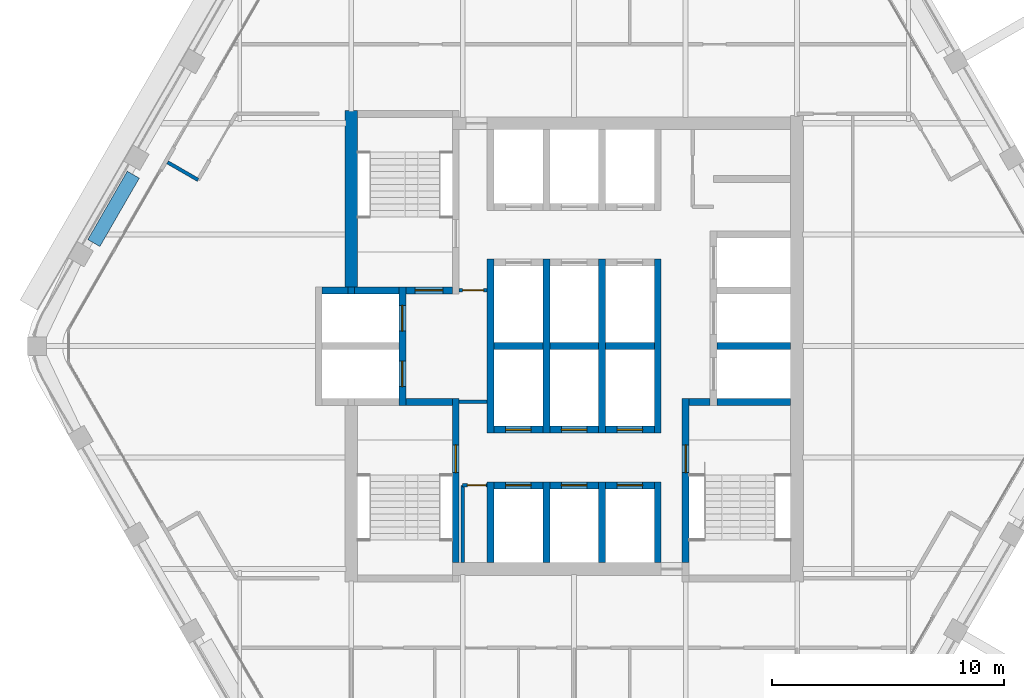
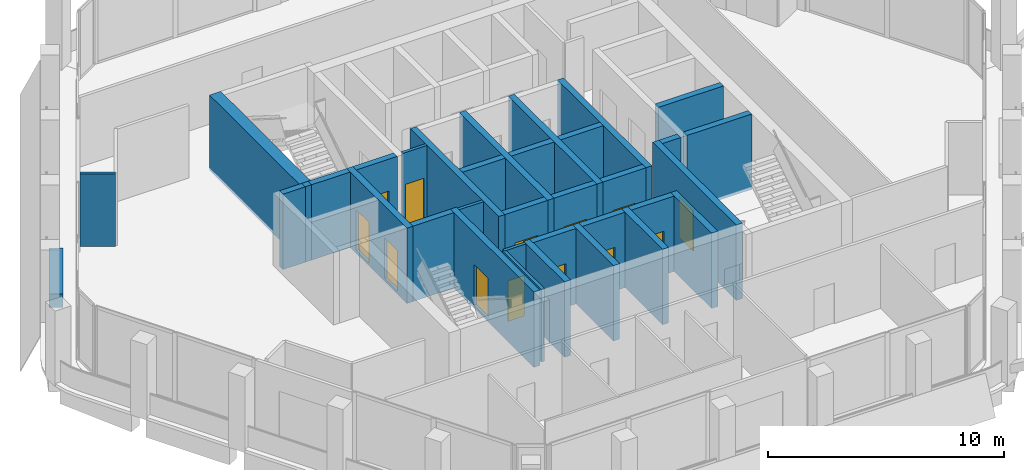
# One storey, part 8 of 14: 35 walls, 13 doors, 13 openings.
"""IFC4 building model written with IfcOpenShell, lengths in metres."""

from ifc_helpers import new_model, si_unit, direction, frame, frame_2d, origin, place, context, subcontext, project, spatial, rectangle, extrude, material, layer, layer_set, type_object, element, fill, save


model = new_model("IFC4")

# Units and contexts
model_context = context("Model", 3, precision=1e-05, world=origin(), true_north=direction((0.0, 1.0)))
body_context = subcontext(model_context, "Body", "Model", "MODEL_VIEW")
ifc_project = project(units=[si_unit("LENGTHUNIT", "METRE"), si_unit("AREAUNIT", "SQUARE_METRE"), si_unit("VOLUMEUNIT", "CUBIC_METRE"), si_unit("PLANEANGLEUNIT", "RADIAN"), si_unit("MASSUNIT", "GRAM", prefix="KILO")], contexts=[model_context])

# Site, building, storey
site_placement = place(None, origin())
site = spatial("IfcSite", under=ifc_project, at=site_placement, CompositionType="ELEMENT")
building_placement = place(site_placement, origin())
building = spatial("IfcBuilding", under=site, at=building_placement, Name="Kolab Exchange Tower", CompositionType="ELEMENT")
storey_placement = place(building_placement, frame((0.0, 0.0, 281.300048828125)))
storey = spatial("IfcBuildingStorey", under=building, at=storey_placement, Name="L63", CompositionType="ELEMENT", Elevation=281.300048828125)

# Wall
ifc_material_1 = material(Name="Concrete C50/60", Category="concrete")
ifc_layer_1 = layer(ifc_material_1, 0.550048828125)
ifc_layer_set_1 = layer_set([ifc_layer_1], Name="Concrete C50/60")
wall_type_1 = type_object("IfcWallType", Name="CORE WALL 550 C50/60", PredefinedType="SHEAR", material=ifc_layer_set_1)
wall_1_placement = place(storey_placement, frame((-9.60009765625, 2.550048828125, -0.150146484375), z_axis=(0.0, 0.0, 1.0), x_axis=(0.0, 1.0, 0.0)))
element("IfcWall", 1, at=wall_1_placement, inside=storey, type_object=wall_type_1, Name="wall/L63/core/037", PredefinedType="SHEAR", context=body_context, shape_type="SweptSolid", body=[
    extrude(rectangle(XDim=7.599853515625, YDim=0.550048828125, at=frame_2d((3.7998046875, 0.0))), origin(), (0.0, 0.0, 1.0), 3.900146484375),
])

# Wall, opening, door
ifc_layer_2 = layer(ifc_material_1, 0.300048828125)
ifc_layer_set_2 = layer_set([ifc_layer_2], Name="Concrete C50/60")
wall_type_2 = type_object("IfcWallType", Name="LIFT SHAFT WALL 300 C50/60", PredefinedType="STANDARD", material=ifc_layer_set_2)
wall_2_placement = place(storey_placement, frame((-3.449951171875, -6.0, -0.150146484375), z_axis=(0.0, 0.0, 1.0), x_axis=(1.0, 0.0, 0.0)))
wall_2 = element("IfcWall", 2, at=wall_2_placement, inside=storey, type_object=wall_type_2, Name="wall/L63/core/003", PredefinedType="STANDARD", context=body_context, shape_type="SweptSolid", body=[
    extrude(rectangle(XDim=2.099853515625, YDim=0.300048828125, at=frame_2d((1.0498046875, 0.0))), origin(), (0.0, 0.0, 1.0), 3.900146484375),
])
opening_1_placement = place(wall_2_placement, frame((0.5, 0.0, 0.14990234375)))
opening_1 = element("IfcOpeningElement", 3, at=opening_1_placement, cuts=wall_2, Name="Opening LD1-110", PredefinedType="OPENING", context=body_context, shape_type="SweptSolid", body=[
    extrude(rectangle(XDim=1.10009765625, YDim=2.10009765625, at=frame_2d((0.550048828125, 1.050048828125))), frame((0.0, 0.16015625, 0.0), z_axis=(0.0, -1.0, 0.0), x_axis=(1.0, 0.0, 0.0)), (0.0, 0.0, 1.0), 0.320068359375),
])
ifc_material_2 = material(Name="Stainless steel 316", Category="steel")
door_type_1 = type_object("IfcDoorType", Name="LANDING DOOR 1100 PASSENGER", OperationType="DOUBLE_DOOR_SLIDING", PredefinedType="DOOR", material=ifc_material_2)
door_1_placement = place(opening_1_placement, origin())
door_1 = element("IfcDoor", 4, at=door_1_placement, inside=storey, type_object=door_type_1, Name="Landing door HR10", OperationType="DOUBLE_DOOR_SLIDING", OverallHeight=2.10009765625, OverallWidth=1.10009765625, PredefinedType="DOOR", context=body_context, shape_type="SweptSolid", body=[
    extrude(rectangle(XDim=1.10009765625, YDim=2.10009765625, at=frame_2d((0.550048828125, 1.050048828125))), frame((0.0, 0.02490234375, 0.0), z_axis=(0.0, -1.0, 0.0), x_axis=(1.0, 0.0, 0.0)), (0.0, 0.0, 1.0), 0.050048828125),
])
fill(opening_1, door_1)

wall_3_placement = place(storey_placement, frame((-1.050048828125, -6.0, -0.150146484375), z_axis=(0.0, 0.0, 1.0), x_axis=(1.0, 0.0, 0.0)))
wall_3 = element("IfcWall", 5, at=wall_3_placement, inside=storey, type_object=wall_type_2, Name="wall/L63/core/004", PredefinedType="STANDARD", context=body_context, shape_type="SweptSolid", body=[
    extrude(rectangle(XDim=2.10009765625, YDim=0.300048828125, at=frame_2d((1.050048828125, 0.0))), origin(), (0.0, 0.0, 1.0), 3.900146484375),
])
opening_2_placement = place(wall_3_placement, frame((0.5, 0.0, 0.14990234375)))
opening_2 = element("IfcOpeningElement", 6, at=opening_2_placement, cuts=wall_3, Name="Opening LD1-111", PredefinedType="OPENING", context=body_context, shape_type="SweptSolid", body=[
    extrude(rectangle(XDim=1.10009765625, YDim=2.10009765625, at=frame_2d((0.550048828125, 1.050048828125))), frame((0.0, 0.16015625, 0.0), z_axis=(0.0, -1.0, 0.0), x_axis=(1.0, 0.0, 0.0)), (0.0, 0.0, 1.0), 0.320068359375),
])
door_2_placement = place(opening_2_placement, origin())
door_2 = element("IfcDoor", 7, at=door_2_placement, inside=storey, type_object=door_type_1, Name="Landing door HR11", OperationType="DOUBLE_DOOR_SLIDING", OverallHeight=2.10009765625, OverallWidth=1.10009765625, PredefinedType="DOOR", context=body_context, shape_type="SweptSolid", body=[
    extrude(rectangle(XDim=1.10009765625, YDim=2.10009765625, at=frame_2d((0.550048828125, 1.050048828125))), frame((0.0, 0.02490234375, 0.0), z_axis=(0.0, -1.0, 0.0), x_axis=(1.0, 0.0, 0.0)), (0.0, 0.0, 1.0), 0.050048828125),
])
fill(opening_2, door_2)

wall_4_placement = place(storey_placement, frame((1.35009765625, -6.0, -0.150146484375), z_axis=(0.0, 0.0, 1.0), x_axis=(1.0, 0.0, 0.0)))
wall_4 = element("IfcWall", 8, at=wall_4_placement, inside=storey, type_object=wall_type_2, Name="wall/L63/core/005", PredefinedType="STANDARD", context=body_context, shape_type="SweptSolid", body=[
    extrude(rectangle(XDim=2.099853515625, YDim=0.300048828125, at=frame_2d((1.0498046875, 0.0))), origin(), (0.0, 0.0, 1.0), 3.900146484375),
])
opening_3_placement = place(wall_4_placement, frame((0.5, 0.0, 0.14990234375)))
opening_3 = element("IfcOpeningElement", 9, at=opening_3_placement, cuts=wall_4, Name="Opening LD1-112", PredefinedType="OPENING", context=body_context, shape_type="SweptSolid", body=[
    extrude(rectangle(XDim=1.10009765625, YDim=2.10009765625, at=frame_2d((0.550048828125, 1.050048828125))), frame((0.0, 0.16015625, 0.0), z_axis=(0.0, -1.0, 0.0), x_axis=(1.0, 0.0, 0.0)), (0.0, 0.0, 1.0), 0.320068359375),
])
door_3_placement = place(opening_3_placement, origin())
door_3 = element("IfcDoor", 10, at=door_3_placement, inside=storey, type_object=door_type_1, Name="Landing door HR12", OperationType="DOUBLE_DOOR_SLIDING", OverallHeight=2.10009765625, OverallWidth=1.10009765625, PredefinedType="DOOR", context=body_context, shape_type="SweptSolid", body=[
    extrude(rectangle(XDim=1.10009765625, YDim=2.10009765625, at=frame_2d((0.550048828125, 1.050048828125))), frame((0.0, 0.02490234375, 0.0), z_axis=(0.0, -1.0, 0.0), x_axis=(1.0, 0.0, 0.0)), (0.0, 0.0, 1.0), 0.050048828125),
])
fill(opening_3, door_3)

wall_5_placement = place(storey_placement, frame((-3.449951171875, -3.60009765625, -0.150146484375), z_axis=(0.0, 0.0, 1.0), x_axis=(1.0, 0.0, 0.0)))
wall_5 = element("IfcWall", 11, at=wall_5_placement, inside=storey, type_object=wall_type_2, Name="wall/L63/core/006", PredefinedType="STANDARD", context=body_context, shape_type="SweptSolid", body=[
    extrude(rectangle(XDim=2.099853515625, YDim=0.300048828125, at=frame_2d((1.0498046875, 0.0))), origin(), (0.0, 0.0, 1.0), 3.900146484375),
])
opening_4_placement = place(wall_5_placement, frame((0.5, 0.0, 0.14990234375)))
opening_4 = element("IfcOpeningElement", 12, at=opening_4_placement, cuts=wall_5, Name="Opening LD1-118", PredefinedType="OPENING", context=body_context, shape_type="SweptSolid", body=[
    extrude(rectangle(XDim=1.10009765625, YDim=2.10009765625, at=frame_2d((0.550048828125, 1.050048828125))), frame((0.0, 0.16015625, 0.0), z_axis=(0.0, -1.0, 0.0), x_axis=(1.0, 0.0, 0.0)), (0.0, 0.0, 1.0), 0.320068359375),
])
door_4_placement = place(opening_4_placement, origin())
door_4 = element("IfcDoor", 13, at=door_4_placement, inside=storey, type_object=door_type_1, Name="Landing door HR7", OperationType="DOUBLE_DOOR_SLIDING", OverallHeight=2.10009765625, OverallWidth=1.10009765625, PredefinedType="DOOR", context=body_context, shape_type="SweptSolid", body=[
    extrude(rectangle(XDim=1.10009765625, YDim=2.10009765625, at=frame_2d((0.550048828125, 1.050048828125))), frame((0.0, 0.02490234375, 0.0), z_axis=(0.0, -1.0, 0.0), x_axis=(1.0, 0.0, 0.0)), (0.0, 0.0, 1.0), 0.050048828125),
])
fill(opening_4, door_4)

wall_6_placement = place(storey_placement, frame((-1.050048828125, -3.60009765625, -0.150146484375), z_axis=(0.0, 0.0, 1.0), x_axis=(1.0, 0.0, 0.0)))
wall_6 = element("IfcWall", 14, at=wall_6_placement, inside=storey, type_object=wall_type_2, Name="wall/L63/core/007", PredefinedType="STANDARD", context=body_context, shape_type="SweptSolid", body=[
    extrude(rectangle(XDim=2.10009765625, YDim=0.300048828125, at=frame_2d((1.050048828125, 0.0))), origin(), (0.0, 0.0, 1.0), 3.900146484375),
])
opening_5_placement = place(wall_6_placement, frame((0.5, 0.0, 0.14990234375)))
opening_5 = element("IfcOpeningElement", 15, at=opening_5_placement, cuts=wall_6, Name="Opening LD1-119", PredefinedType="OPENING", context=body_context, shape_type="SweptSolid", body=[
    extrude(rectangle(XDim=1.10009765625, YDim=2.10009765625, at=frame_2d((0.550048828125, 1.050048828125))), frame((0.0, 0.16015625, 0.0), z_axis=(0.0, -1.0, 0.0), x_axis=(1.0, 0.0, 0.0)), (0.0, 0.0, 1.0), 0.320068359375),
])
door_5_placement = place(opening_5_placement, origin())
door_5 = element("IfcDoor", 16, at=door_5_placement, inside=storey, type_object=door_type_1, Name="Landing door HR8", OperationType="DOUBLE_DOOR_SLIDING", OverallHeight=2.10009765625, OverallWidth=1.10009765625, PredefinedType="DOOR", context=body_context, shape_type="SweptSolid", body=[
    extrude(rectangle(XDim=1.10009765625, YDim=2.10009765625, at=frame_2d((0.550048828125, 1.050048828125))), frame((0.0, 0.02490234375, 0.0), z_axis=(0.0, -1.0, 0.0), x_axis=(1.0, 0.0, 0.0)), (0.0, 0.0, 1.0), 0.050048828125),
])
fill(opening_5, door_5)

wall_7_placement = place(storey_placement, frame((1.35009765625, -3.60009765625, -0.150146484375), z_axis=(0.0, 0.0, 1.0), x_axis=(1.0, 0.0, 0.0)))
wall_7 = element("IfcWall", 17, at=wall_7_placement, inside=storey, type_object=wall_type_2, Name="wall/L63/core/008", PredefinedType="STANDARD", context=body_context, shape_type="SweptSolid", body=[
    extrude(rectangle(XDim=2.099853515625, YDim=0.300048828125, at=frame_2d((1.0498046875, 0.0))), origin(), (0.0, 0.0, 1.0), 3.900146484375),
])
opening_6_placement = place(wall_7_placement, frame((0.5, 0.0, 0.14990234375)))
opening_6 = element("IfcOpeningElement", 18, at=opening_6_placement, cuts=wall_7, Name="Opening LD1-120", PredefinedType="OPENING", context=body_context, shape_type="SweptSolid", body=[
    extrude(rectangle(XDim=1.10009765625, YDim=2.10009765625, at=frame_2d((0.550048828125, 1.050048828125))), frame((0.0, 0.16015625, 0.0), z_axis=(0.0, -1.0, 0.0), x_axis=(1.0, 0.0, 0.0)), (0.0, 0.0, 1.0), 0.320068359375),
])
door_6_placement = place(opening_6_placement, origin())
door_6 = element("IfcDoor", 19, at=door_6_placement, inside=storey, type_object=door_type_1, Name="Landing door HR9", OperationType="DOUBLE_DOOR_SLIDING", OverallHeight=2.10009765625, OverallWidth=1.10009765625, PredefinedType="DOOR", context=body_context, shape_type="SweptSolid", body=[
    extrude(rectangle(XDim=1.10009765625, YDim=2.10009765625, at=frame_2d((0.550048828125, 1.050048828125))), frame((0.0, 0.02490234375, 0.0), z_axis=(0.0, -1.0, 0.0), x_axis=(1.0, 0.0, 0.0)), (0.0, 0.0, 1.0), 0.050048828125),
])
fill(opening_6, door_6)

# Walls
wall_8_placement = place(storey_placement, frame((-3.449951171875, 0.0, -0.150146484375), z_axis=(0.0, 0.0, 1.0), x_axis=(1.0, 0.0, 0.0)))
element("IfcWall", 20, at=wall_8_placement, inside=storey, type_object=wall_type_2, Name="wall/L63/core/015", PredefinedType="STANDARD", context=body_context, shape_type="SweptSolid", body=[
    extrude(rectangle(XDim=2.099853515625, YDim=0.300048828125, at=frame_2d((1.0498046875, 0.0))), origin(), (0.0, 0.0, 1.0), 3.900146484375),
])
wall_9_placement = place(storey_placement, frame((-1.050048828125, 0.0, -0.150146484375), z_axis=(0.0, 0.0, 1.0), x_axis=(1.0, 0.0, 0.0)))
element("IfcWall", 21, at=wall_9_placement, inside=storey, type_object=wall_type_2, Name="wall/L63/core/016", PredefinedType="STANDARD", context=body_context, shape_type="SweptSolid", body=[
    extrude(rectangle(XDim=2.10009765625, YDim=0.300048828125, at=frame_2d((1.050048828125, 0.0))), origin(), (0.0, 0.0, 1.0), 3.900146484375),
])
wall_10_placement = place(storey_placement, frame((1.35009765625, 0.0, -0.150146484375), z_axis=(0.0, 0.0, 1.0), x_axis=(1.0, 0.0, 0.0)))
element("IfcWall", 22, at=wall_10_placement, inside=storey, type_object=wall_type_2, Name="wall/L63/core/017", PredefinedType="STANDARD", context=body_context, shape_type="SweptSolid", body=[
    extrude(rectangle(XDim=2.099853515625, YDim=0.300048828125, at=frame_2d((1.0498046875, 0.0))), origin(), (0.0, 0.0, 1.0), 3.900146484375),
])
wall_11_placement = place(storey_placement, frame((6.14990234375, 0.0, -0.150146484375), z_axis=(0.0, 0.0, 1.0), x_axis=(1.0, 0.0, 0.0)))
element("IfcWall", 23, at=wall_11_placement, inside=storey, type_object=wall_type_2, Name="wall/L63/core/018", PredefinedType="STANDARD", context=body_context, shape_type="SweptSolid", body=[
    extrude(rectangle(XDim=3.175048828125, YDim=0.300048828125, at=frame_2d((1.58740234375, 0.0))), origin(), (0.0, 0.0, 1.0), 3.900146484375),
])
wall_12_placement = place(storey_placement, frame((-10.85009765625, 2.39990234375, -0.150146484375), z_axis=(0.0, 0.0, 1.0), x_axis=(1.0, 0.0, 0.0)))
element("IfcWall", 24, at=wall_12_placement, inside=storey, type_object=wall_type_2, Name="wall/L63/core/019", PredefinedType="STANDARD", context=body_context, shape_type="SweptSolid", body=[
    extrude(rectangle(XDim=1.10009765625, YDim=0.300048828125, at=frame_2d((0.550048828125, 0.0))), origin(), (0.0, 0.0, 1.0), 3.900146484375),
])

# Wall, openings, doors
wall_13_placement = place(storey_placement, frame((-7.39990234375, -2.550048828125, -0.150146484375), z_axis=(0.0, 0.0, 1.0), x_axis=(0.0, 1.0, 0.0)))
wall_13 = element("IfcWall", 25, at=wall_13_placement, inside=storey, type_object=wall_type_2, Name="wall/L63/core/038", PredefinedType="STANDARD", context=body_context, shape_type="SweptSolid", body=[
    extrude(rectangle(XDim=5.10009765625, YDim=0.300048828125, at=frame_2d((2.550048828125, 0.0))), origin(), (0.0, 0.0, 1.0), 3.900146484375),
])
opening_7_placement = place(wall_13_placement, frame((0.800048828125, 0.0, 0.14990234375)))
opening_7 = element("IfcOpeningElement", 26, at=opening_7_placement, cuts=wall_13, Name="Opening LD2-025", PredefinedType="OPENING", context=body_context, shape_type="SweptSolid", body=[
    extrude(rectangle(XDim=1.10009765625, YDim=2.10009765625, at=frame_2d((0.550048828125, 1.050048828125))), frame((0.0, 0.16015625, 0.0), z_axis=(0.0, -1.0, 0.0), x_axis=(1.0, 0.0, 0.0)), (0.0, 0.0, 1.0), 0.320068359375),
])
opening_8_placement = place(wall_13_placement, frame((3.199951171875, 0.0, 0.14990234375)))
opening_8 = element("IfcOpeningElement", 27, at=opening_8_placement, cuts=wall_13, Name="Opening LD2-026", PredefinedType="OPENING", context=body_context, shape_type="SweptSolid", body=[
    extrude(rectangle(XDim=1.10009765625, YDim=2.10009765625, at=frame_2d((0.550048828125, 1.050048828125))), frame((0.0, 0.16015625, 0.0), z_axis=(0.0, -1.0, 0.0), x_axis=(1.0, 0.0, 0.0)), (0.0, 0.0, 1.0), 0.320068359375),
])
door_type_2 = type_object("IfcDoorType", Name="LANDING DOOR 1100 FIREFIGHTING", OperationType="DOUBLE_DOOR_SLIDING", PredefinedType="DOOR", material=ifc_material_2)
door_7_placement = place(opening_7_placement, origin())
door_7 = element("IfcDoor", 28, at=door_7_placement, inside=storey, type_object=door_type_2, Name="Landing door FF1", OperationType="DOUBLE_DOOR_SLIDING", OverallHeight=2.10009765625, OverallWidth=1.10009765625, PredefinedType="DOOR", context=body_context, shape_type="SweptSolid", body=[
    extrude(rectangle(XDim=1.10009765625, YDim=2.10009765625, at=frame_2d((0.550048828125, 1.050048828125))), frame((0.0, 0.02490234375, 0.0), z_axis=(0.0, -1.0, 0.0), x_axis=(1.0, 0.0, 0.0)), (0.0, 0.0, 1.0), 0.050048828125),
])
fill(opening_7, door_7)
door_8_placement = place(opening_8_placement, origin())
door_8 = element("IfcDoor", 29, at=door_8_placement, inside=storey, type_object=door_type_2, Name="Landing door FF2", OperationType="DOUBLE_DOOR_SLIDING", OverallHeight=2.10009765625, OverallWidth=1.10009765625, PredefinedType="DOOR", context=body_context, shape_type="SweptSolid", body=[
    extrude(rectangle(XDim=1.10009765625, YDim=2.10009765625, at=frame_2d((0.550048828125, 1.050048828125))), frame((0.0, 0.02490234375, 0.0), z_axis=(0.0, -1.0, 0.0), x_axis=(1.0, 0.0, 0.0)), (0.0, 0.0, 1.0), 0.050048828125),
])
fill(opening_8, door_8)

# Walls
wall_14_placement = place(storey_placement, frame((-3.60009765625, -9.324951171875, -0.150146484375), z_axis=(0.0, 0.0, 1.0), x_axis=(0.0, 1.0, 0.0)))
element("IfcWall", 30, at=wall_14_placement, inside=storey, type_object=wall_type_2, Name="wall/L63/core/043", PredefinedType="STANDARD", context=body_context, shape_type="SweptSolid", body=[
    extrude(rectangle(XDim=3.474853515625, YDim=0.300048828125, at=frame_2d((1.7373046875, 0.0))), origin(), (0.0, 0.0, 1.0), 3.900146484375),
])
wall_15_placement = place(storey_placement, frame((-3.60009765625, -3.75, -0.150146484375), z_axis=(0.0, 0.0, 1.0), x_axis=(0.0, 1.0, 0.0)))
element("IfcWall", 31, at=wall_15_placement, inside=storey, type_object=wall_type_2, Name="wall/L63/core/044", PredefinedType="STANDARD", context=body_context, shape_type="SweptSolid", body=[
    extrude(rectangle(XDim=7.5, YDim=0.300048828125, at=frame_2d((3.75, 0.0))), origin(), (0.0, 0.0, 1.0), 3.900146484375),
])
wall_16_placement = place(storey_placement, frame((-1.199951171875, -9.324951171875, -0.150146484375), z_axis=(0.0, 0.0, 1.0), x_axis=(0.0, 1.0, 0.0)))
element("IfcWall", 32, at=wall_16_placement, inside=storey, type_object=wall_type_2, Name="wall/L63/core/046", PredefinedType="STANDARD", context=body_context, shape_type="SweptSolid", body=[
    extrude(rectangle(XDim=3.474853515625, YDim=0.300048828125, at=frame_2d((1.7373046875, 0.0))), origin(), (0.0, 0.0, 1.0), 3.900146484375),
])
wall_17_placement = place(storey_placement, frame((-1.199951171875, -3.75, -0.150146484375), z_axis=(0.0, 0.0, 1.0), x_axis=(0.0, 1.0, 0.0)))
element("IfcWall", 33, at=wall_17_placement, inside=storey, type_object=wall_type_2, Name="wall/L63/core/047", PredefinedType="STANDARD", context=body_context, shape_type="SweptSolid", body=[
    extrude(rectangle(XDim=7.5, YDim=0.300048828125, at=frame_2d((3.75, 0.0))), origin(), (0.0, 0.0, 1.0), 3.900146484375),
])
wall_18_placement = place(storey_placement, frame((1.199951171875, -9.324951171875, -0.150146484375), z_axis=(0.0, 0.0, 1.0), x_axis=(0.0, 1.0, 0.0)))
element("IfcWall", 34, at=wall_18_placement, inside=storey, type_object=wall_type_2, Name="wall/L63/core/049", PredefinedType="STANDARD", context=body_context, shape_type="SweptSolid", body=[
    extrude(rectangle(XDim=3.474853515625, YDim=0.300048828125, at=frame_2d((1.7373046875, 0.0))), origin(), (0.0, 0.0, 1.0), 3.900146484375),
])
wall_19_placement = place(storey_placement, frame((1.199951171875, -3.75, -0.150146484375), z_axis=(0.0, 0.0, 1.0), x_axis=(0.0, 1.0, 0.0)))
element("IfcWall", 35, at=wall_19_placement, inside=storey, type_object=wall_type_2, Name="wall/L63/core/050", PredefinedType="STANDARD", context=body_context, shape_type="SweptSolid", body=[
    extrude(rectangle(XDim=7.5, YDim=0.300048828125, at=frame_2d((3.75, 0.0))), origin(), (0.0, 0.0, 1.0), 3.900146484375),
])
wall_20_placement = place(storey_placement, frame((3.60009765625, -9.324951171875, -0.150146484375), z_axis=(0.0, 0.0, 1.0), x_axis=(0.0, 1.0, 0.0)))
element("IfcWall", 36, at=wall_20_placement, inside=storey, type_object=wall_type_2, Name="wall/L63/core/052", PredefinedType="STANDARD", context=body_context, shape_type="SweptSolid", body=[
    extrude(rectangle(XDim=3.474853515625, YDim=0.300048828125, at=frame_2d((1.7373046875, 0.0))), origin(), (0.0, 0.0, 1.0), 3.900146484375),
])
wall_21_placement = place(storey_placement, frame((3.60009765625, -3.75, -0.150146484375), z_axis=(0.0, 0.0, 1.0), x_axis=(0.0, 1.0, 0.0)))
element("IfcWall", 37, at=wall_21_placement, inside=storey, type_object=wall_type_2, Name="wall/L63/core/053", PredefinedType="STANDARD", context=body_context, shape_type="SweptSolid", body=[
    extrude(rectangle(XDim=7.5, YDim=0.300048828125, at=frame_2d((3.75, 0.0))), origin(), (0.0, 0.0, 1.0), 3.900146484375),
])
ifc_material_3 = material(Name="Gypsum board", Category="gypsum")
ifc_layer_3 = layer(ifc_material_3, 0.14990234375)
ifc_layer_set_3 = layer_set([ifc_layer_3], Name="Gypsum board")
wall_type_3 = type_object("IfcWallType", Name="PARTITION 150 FIRE-RATED", PredefinedType="PARTITIONING", material=ifc_layer_set_3)
wall_22_placement = place(storey_placement, frame((-4.800048828125, -9.324951171875, 0.0), z_axis=(0.0, 0.0, 1.0), x_axis=(0.0, 1.0, 0.0)))
element("IfcWall", 38, at=wall_22_placement, inside=storey, type_object=wall_type_3, Name="Partition 007", PredefinedType="PARTITIONING", context=body_context, shape_type="SweptSolid", body=[
    extrude(rectangle(XDim=3.324951171875, YDim=0.14990234375, at=frame_2d((1.66259765625, 0.0))), origin(), (0.0, 0.0, 1.0), 3.75),
])
wall_23_placement = place(storey_placement, frame((-17.512451171875, 7.9169921875, 0.0), z_axis=(0.0, 0.0, 1.0), x_axis=(0.865960906633, -0.500111695708, 0.0)))
element("IfcWall", 39, at=wall_23_placement, inside=storey, type_object=wall_type_3, Name="Partition 014", PredefinedType="PARTITIONING", context=body_context, shape_type="SweptSolid", body=[
    extrude(rectangle(XDim=1.520263671875, YDim=0.14990234375, at=frame_2d((0.76025390625, 0.0))), origin(), (0.0, 0.0, 1.0), 3.75),
])

# Wall, opening, door
wall_24_placement = place(storey_placement, frame((-4.800048828125, -6.0, 0.0), z_axis=(0.0, 0.0, 1.0), x_axis=(1.0, 0.0, 0.0)))
wall_24 = element("IfcWall", 40, at=wall_24_placement, inside=storey, type_object=wall_type_3, Name="Partition 022", PredefinedType="PARTITIONING", context=body_context, shape_type="SweptSolid", body=[
    extrude(rectangle(XDim=1.050048828125, YDim=0.14990234375, at=frame_2d((0.52490234375, 0.0))), origin(), (0.0, 0.0, 1.0), 3.75),
])
opening_9_placement = place(wall_24_placement, frame((0.199951171875, 0.0, 0.0)))
opening_9 = element("IfcOpeningElement", 41, at=opening_9_placement, cuts=wall_24, Name="Opening D7-034", PredefinedType="OPENING", context=body_context, shape_type="SweptSolid", body=[
    extrude(rectangle(XDim=0.800048828125, YDim=2.10009765625, at=frame_2d((0.39990234375, 1.050048828125))), frame((0.0, 0.0849609375, 0.0), z_axis=(0.0, -1.0, 0.0), x_axis=(1.0, 0.0, 0.0)), (0.0, 0.0, 1.0), 0.169921875),
])
ifc_material_4 = material(Name="Steel S235", Category="steel")
door_type_3 = type_object("IfcDoorType", Name="FLUSH DOOR 800 FD60", OperationType="SINGLE_SWING_LEFT", PredefinedType="DOOR", material=ifc_material_4)
door_9_placement = place(opening_9_placement, frame((0.800048828125, 0.0, 0.0), z_axis=(0.0, 0.0, 1.0), x_axis=(-1.0, 0.0, 0.0)))
door_9 = element("IfcDoor", 42, at=door_9_placement, inside=storey, type_object=door_type_3, Name="Door L63-024", OperationType="SINGLE_SWING_RIGHT", OverallHeight=2.10009765625, OverallWidth=0.800048828125, PredefinedType="DOOR", context=body_context, shape_type="SweptSolid", body=[
    extrude(rectangle(XDim=0.800048828125, YDim=2.10009765625, at=frame_2d((0.39990234375, 1.050048828125))), frame((0.0, 0.02490234375, 0.0), z_axis=(0.0, -1.0, 0.0), x_axis=(1.0, 0.0, 0.0)), (0.0, 0.0, 1.0), 0.050048828125),
])
fill(opening_9, door_9)

wall_25_placement = place(storey_placement, frame((-4.949951171875, 2.39990234375, 0.0), z_axis=(0.0, 0.0, 1.0), x_axis=(1.0, 0.0, 0.0)))
wall_25 = element("IfcWall", 43, at=wall_25_placement, inside=storey, type_object=wall_type_3, Name="Fire partition", PredefinedType="PARTITIONING", context=body_context, shape_type="SweptSolid", body=[
    extrude(rectangle(XDim=1.199951171875, YDim=0.14990234375, at=frame_2d((0.60009765625, 0.0))), origin(), (0.0, 0.0, 1.0), 3.75),
])
opening_10_placement = place(wall_25_placement, frame((0.14990234375, 0.0, 0.0)))
opening_10 = element("IfcOpeningElement", 44, at=opening_10_placement, cuts=wall_25, Name="Opening D6-288", PredefinedType="OPENING", context=body_context, shape_type="SweptSolid", body=[
    extrude(rectangle(XDim=0.89990234375, YDim=2.10009765625, at=frame_2d((0.449951171875, 1.050048828125))), frame((0.0, 0.0849609375, 0.0), z_axis=(0.0, -1.0, 0.0), x_axis=(1.0, 0.0, 0.0)), (0.0, 0.0, 1.0), 0.169921875),
])
door_type_4 = type_object("IfcDoorType", Name="CORE DOOR 900 EI 120", OperationType="SINGLE_SWING_LEFT", PredefinedType="DOOR", material=ifc_material_4)
door_10_placement = place(opening_10_placement, frame((0.89990234375, 0.0, 0.0), z_axis=(0.0, 0.0, 1.0), x_axis=(-1.0, 0.0, 0.0)))
door_10 = element("IfcDoor", 45, at=door_10_placement, inside=storey, type_object=door_type_4, Name="Firefighting lobby door", OperationType="SINGLE_SWING_RIGHT", OverallHeight=2.10009765625, OverallWidth=0.89990234375, PredefinedType="DOOR", context=body_context, shape_type="SweptSolid", body=[
    extrude(rectangle(XDim=0.89990234375, YDim=2.10009765625, at=frame_2d((0.449951171875, 1.050048828125))), frame((0.0, 0.02490234375, 0.0), z_axis=(0.0, -1.0, 0.0), x_axis=(1.0, 0.0, 0.0)), (0.0, 0.0, 1.0), 0.050048828125),
])
fill(opening_10, door_10)

# Walls
wall_26_placement = place(storey_placement, frame((-4.949951171875, -2.39990234375, 0.0), z_axis=(0.0, 0.0, 1.0), x_axis=(1.0, 0.0, 0.0)))
element("IfcWall", 46, at=wall_26_placement, inside=storey, type_object=wall_type_3, Name="Fire partition", PredefinedType="PARTITIONING", context=body_context, shape_type="SweptSolid", body=[
    extrude(rectangle(XDim=1.199951171875, YDim=0.14990234375, at=frame_2d((0.60009765625, 0.0))), origin(), (0.0, 0.0, 1.0), 3.75),
])
ifc_material_5 = material(Name="Granite facing", Category="masonry")
ifc_layer_4 = layer(ifc_material_5, 0.0400390625)
ifc_material_6 = material(Name="Concrete C40/50 precast", Category="concrete")
ifc_layer_5 = layer(ifc_material_6, 0.56005859375)
ifc_layer_set_4 = layer_set([ifc_layer_4, ifc_layer_5], Name="Concrete C40/50 precast")
wall_type_4 = type_object("IfcWallType", Name="PLANTER BOX 600 X 700 SOIL DEPTH 550", PredefinedType="USERDEFINED", material=ifc_layer_set_4)
wall_27_placement = place(storey_placement, frame((-20.68701171875, 4.438232421875, 0.0), z_axis=(0.0, 0.0, 1.0), x_axis=(0.500008388397, 0.866020560687, 0.0)))
element("IfcWall", 47, at=wall_27_placement, inside=storey, type_object=wall_type_4, Name="Planter", ObjectType="PLANTER", PredefinedType="USERDEFINED", context=body_context, shape_type="SweptSolid", body=[
    extrude(rectangle(XDim=3.39990234375, YDim=0.60009765625, at=frame_2d((1.699951171875, 0.0))), origin(), (0.0, 0.0, 1.0), 0.699951171875),
])
ifc_layer_6 = layer(ifc_material_1, 0.300048828125)
ifc_layer_set_5 = layer_set([ifc_layer_6], Name="Concrete C50/60")
wall_type_5 = type_object("IfcWallType", Name="STAIR ENCLOSURE WALL 300 C50/60", PredefinedType="STANDARD", material=ifc_layer_set_5)
wall_28_placement = place(storey_placement, frame((-7.25, -2.39990234375, -0.150146484375), z_axis=(0.0, 0.0, 1.0), x_axis=(1.0, 0.0, 0.0)))
element("IfcWall", 48, at=wall_28_placement, inside=storey, type_object=wall_type_5, Name="wall/L63/core/011", PredefinedType="STANDARD", context=body_context, shape_type="SweptSolid", body=[
    extrude(rectangle(XDim=2.0, YDim=0.300048828125, at=frame_2d((1.0, 0.0))), origin(), (0.0, 0.0, 1.0), 3.900146484375),
])
wall_29_placement = place(storey_placement, frame((4.949951171875, -2.39990234375, -0.150146484375), z_axis=(0.0, 0.0, 1.0), x_axis=(1.0, 0.0, 0.0)))
element("IfcWall", 49, at=wall_29_placement, inside=storey, type_object=wall_type_5, Name="wall/L63/core/012", PredefinedType="STANDARD", context=body_context, shape_type="SweptSolid", body=[
    extrude(rectangle(XDim=0.900146484375, YDim=0.300048828125, at=frame_2d((0.4501953125, 0.0))), origin(), (0.0, 0.0, 1.0), 3.900146484375),
])
wall_30_placement = place(storey_placement, frame((6.14990234375, -2.39990234375, -0.150146484375), z_axis=(0.0, 0.0, 1.0), x_axis=(1.0, 0.0, 0.0)))
element("IfcWall", 50, at=wall_30_placement, inside=storey, type_object=wall_type_5, Name="wall/L63/core/013", PredefinedType="STANDARD", context=body_context, shape_type="SweptSolid", body=[
    extrude(rectangle(XDim=3.175048828125, YDim=0.300048828125, at=frame_2d((1.58740234375, 0.0))), origin(), (0.0, 0.0, 1.0), 3.900146484375),
])
wall_31_placement = place(storey_placement, frame((-9.449951171875, 2.39990234375, -0.150146484375), z_axis=(0.0, 0.0, 1.0), x_axis=(1.0, 0.0, 0.0)))
element("IfcWall", 51, at=wall_31_placement, inside=storey, type_object=wall_type_5, Name="wall/L63/core/020", PredefinedType="STANDARD", context=body_context, shape_type="SweptSolid", body=[
    extrude(rectangle(XDim=1.89990234375, YDim=0.300048828125, at=frame_2d((0.949951171875, 0.0))), origin(), (0.0, 0.0, 1.0), 3.900146484375),
])

# Wall, opening, door
wall_32_placement = place(storey_placement, frame((-7.25, 2.39990234375, -0.150146484375), z_axis=(0.0, 0.0, 1.0), x_axis=(1.0, 0.0, 0.0)))
wall_32 = element("IfcWall", 52, at=wall_32_placement, inside=storey, type_object=wall_type_5, Name="wall/L63/core/021", PredefinedType="STANDARD", context=body_context, shape_type="SweptSolid", body=[
    extrude(rectangle(XDim=2.0, YDim=0.300048828125, at=frame_2d((1.0, 0.0))), origin(), (0.0, 0.0, 1.0), 3.900146484375),
])
opening_11_placement = place(wall_32_placement, frame((0.39990234375, 0.0, 0.14990234375)))
opening_11 = element("IfcOpeningElement", 53, at=opening_11_placement, cuts=wall_32, Name="Opening D4-065", PredefinedType="OPENING", context=body_context, shape_type="SweptSolid", body=[
    extrude(rectangle(XDim=1.199951171875, YDim=2.10009765625, at=frame_2d((0.60009765625, 1.050048828125))), frame((0.0, 0.16015625, 0.0), z_axis=(0.0, -1.0, 0.0), x_axis=(1.0, 0.0, 0.0)), (0.0, 0.0, 1.0), 0.320068359375),
])
door_type_5 = type_object("IfcDoorType", Name="STAIR DOOR 1200 EI 120", OperationType="SINGLE_SWING_LEFT", PredefinedType="DOOR", material=ifc_material_4)
door_11_placement = place(opening_11_placement, origin())
door_11 = element("IfcDoor", 54, at=door_11_placement, inside=storey, type_object=door_type_5, Name="Stair 1 door", OperationType="SINGLE_SWING_RIGHT", OverallHeight=2.10009765625, OverallWidth=1.199951171875, PredefinedType="DOOR", context=body_context, shape_type="SweptSolid", body=[
    extrude(rectangle(XDim=1.199951171875, YDim=2.10009765625, at=frame_2d((0.60009765625, 1.050048828125))), frame((0.0, 0.02490234375, 0.0), z_axis=(0.0, -1.0, 0.0), x_axis=(1.0, 0.0, 0.0)), (0.0, 0.0, 1.0), 0.050048828125),
])
fill(opening_11, door_11)

# Wall
wall_33_placement = place(storey_placement, frame((-9.60009765625, 2.25, -0.150146484375), z_axis=(0.0, 0.0, 1.0), x_axis=(0.0, 1.0, 0.0)))
element("IfcWall", 55, at=wall_33_placement, inside=storey, type_object=wall_type_5, Name="wall/L63/core/036", PredefinedType="STANDARD", context=body_context, shape_type="SweptSolid", body=[
    extrude(rectangle(XDim=0.300048828125, YDim=0.300048828125, at=frame_2d((0.14990234375, 0.0))), origin(), (0.0, 0.0, 1.0), 3.900146484375),
])

# Wall, opening, door
wall_34_placement = place(storey_placement, frame((-5.10009765625, -9.324951171875, -0.150146484375), z_axis=(0.0, 0.0, 1.0), x_axis=(0.0, 1.0, 0.0)))
wall_34 = element("IfcWall", 56, at=wall_34_placement, inside=storey, type_object=wall_type_5, Name="wall/L63/core/040", PredefinedType="STANDARD", context=body_context, shape_type="SweptSolid", body=[
    extrude(rectangle(XDim=7.074951171875, YDim=0.300048828125, at=frame_2d((3.53759765625, 0.0))), origin(), (0.0, 0.0, 1.0), 3.900146484375),
])
opening_12_placement = place(wall_34_placement, frame((3.875, 0.0, 0.14990234375)))
opening_12 = element("IfcOpeningElement", 57, at=opening_12_placement, cuts=wall_34, Name="Opening D4-078", PredefinedType="OPENING", context=body_context, shape_type="SweptSolid", body=[
    extrude(rectangle(XDim=1.199951171875, YDim=2.10009765625, at=frame_2d((0.60009765625, 1.050048828125))), frame((0.0, 0.16015625, 0.0), z_axis=(0.0, -1.0, 0.0), x_axis=(1.0, 0.0, 0.0)), (0.0, 0.0, 1.0), 0.320068359375),
])
door_12_placement = place(opening_12_placement, origin())
door_12 = element("IfcDoor", 58, at=door_12_placement, inside=storey, type_object=door_type_5, Name="Stair 3 door", OperationType="SINGLE_SWING_RIGHT", OverallHeight=2.10009765625, OverallWidth=1.199951171875, PredefinedType="DOOR", context=body_context, shape_type="SweptSolid", body=[
    extrude(rectangle(XDim=1.199951171875, YDim=2.10009765625, at=frame_2d((0.60009765625, 1.050048828125))), frame((0.0, 0.02490234375, 0.0), z_axis=(0.0, -1.0, 0.0), x_axis=(1.0, 0.0, 0.0)), (0.0, 0.0, 1.0), 0.050048828125),
])
fill(opening_12, door_12)

wall_35_placement = place(storey_placement, frame((4.800048828125, -9.324951171875, -0.150146484375), z_axis=(0.0, 0.0, 1.0), x_axis=(0.0, 1.0, 0.0)))
wall_35 = element("IfcWall", 59, at=wall_35_placement, inside=storey, type_object=wall_type_5, Name="wall/L63/core/056", PredefinedType="STANDARD", context=body_context, shape_type="SweptSolid", body=[
    extrude(rectangle(XDim=7.074951171875, YDim=0.300048828125, at=frame_2d((3.53759765625, 0.0))), origin(), (0.0, 0.0, 1.0), 3.900146484375),
])
opening_13_placement = place(wall_35_placement, frame((3.875, 0.0, 0.14990234375)))
opening_13 = element("IfcOpeningElement", 60, at=opening_13_placement, cuts=wall_35, Name="Opening D4-077", PredefinedType="OPENING", context=body_context, shape_type="SweptSolid", body=[
    extrude(rectangle(XDim=1.199951171875, YDim=2.10009765625, at=frame_2d((0.60009765625, 1.050048828125))), frame((0.0, 0.16015625, 0.0), z_axis=(0.0, -1.0, 0.0), x_axis=(1.0, 0.0, 0.0)), (0.0, 0.0, 1.0), 0.320068359375),
])
door_13_placement = place(opening_13_placement, frame((1.199951171875, 0.0, 0.0), z_axis=(0.0, 0.0, 1.0), x_axis=(-1.0, 0.0, 0.0)))
door_13 = element("IfcDoor", 61, at=door_13_placement, inside=storey, type_object=door_type_5, Name="Stair 2 door", OperationType="SINGLE_SWING_RIGHT", OverallHeight=2.10009765625, OverallWidth=1.199951171875, PredefinedType="DOOR", context=body_context, shape_type="SweptSolid", body=[
    extrude(rectangle(XDim=1.199951171875, YDim=2.10009765625, at=frame_2d((0.60009765625, 1.050048828125))), frame((0.0, 0.02490234375, 0.0), z_axis=(0.0, -1.0, 0.0), x_axis=(1.0, 0.0, 0.0)), (0.0, 0.0, 1.0), 0.050048828125),
])
fill(opening_13, door_13)

save(model, "model.ifc")
